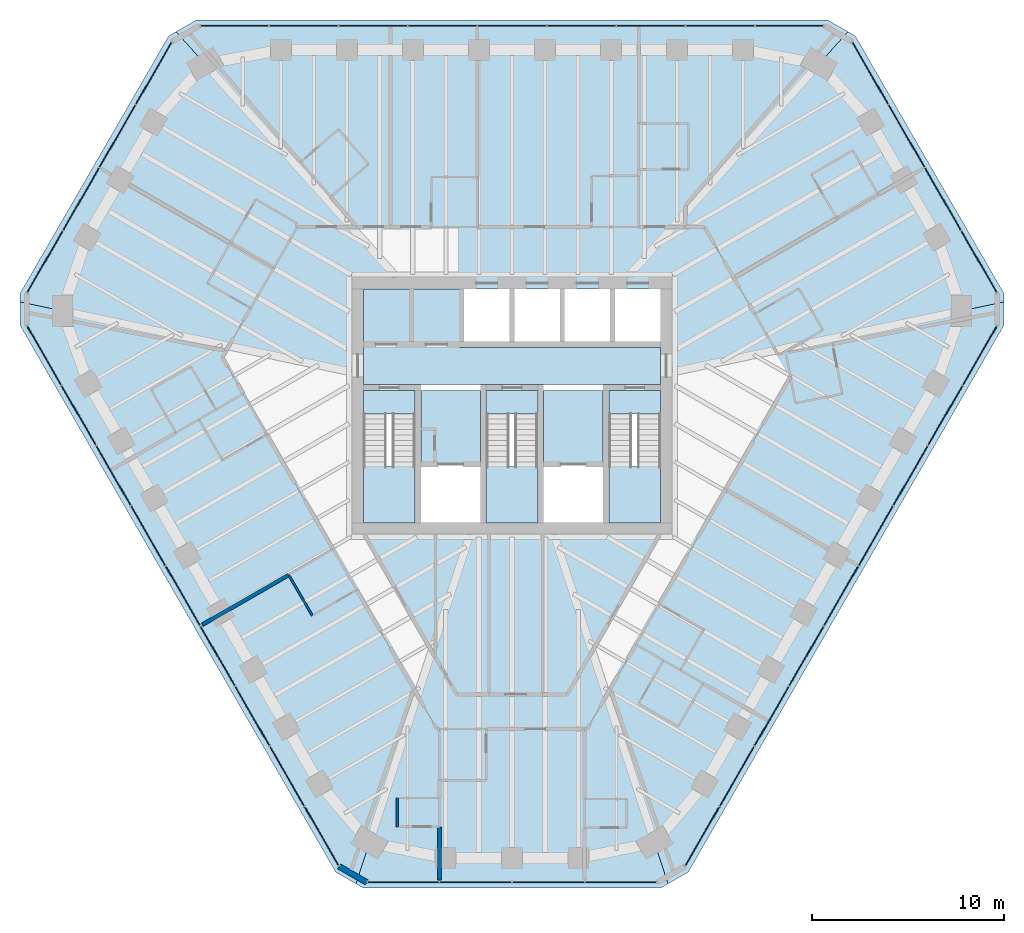
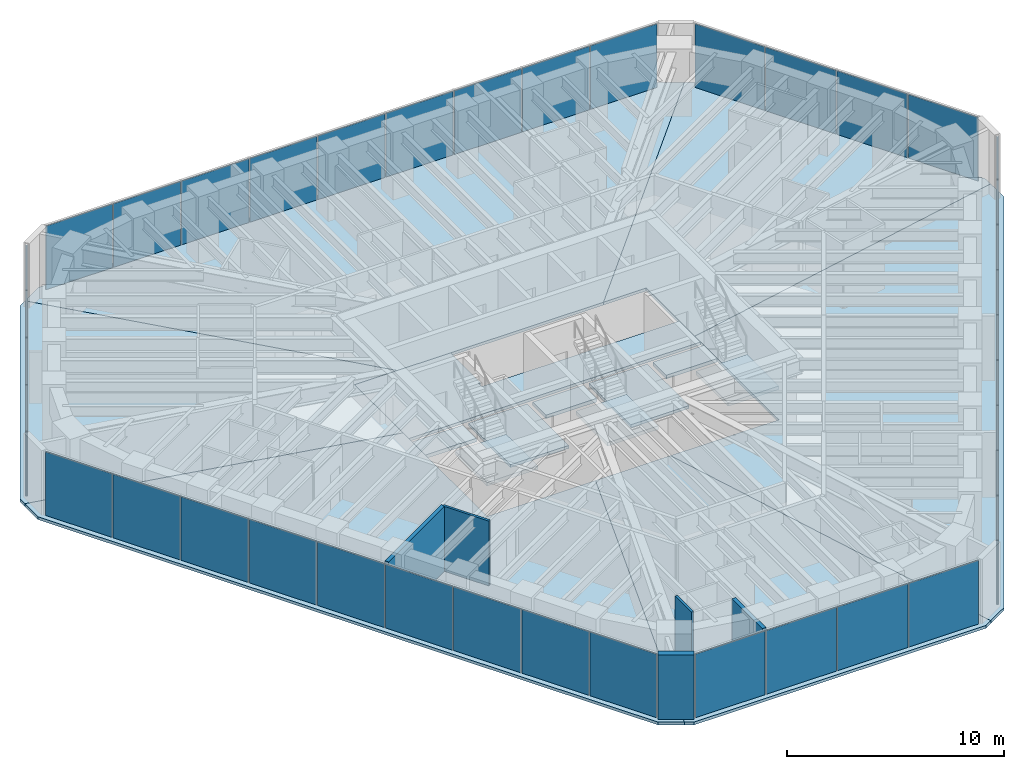
# One storey, part 8 of 14: 39 plates, 15 slabs, 5 walls, 9 elements without a shape of their own.
"""IFC4 building model written with IfcOpenShell, lengths in metres."""

from ifc_helpers import new_model, si_unit, direction, frame, frame_2d, origin, origin_2d, place, context, subcontext, project, spatial, polyline, rectangle, outline, extrude, material, layer, layer_set, type_object, element, aggregate, save


model = new_model("IFC4")

# Units and contexts
model_context = context("Model", 3, precision=1e-05, world=origin(), true_north=direction((0.0, 1.0)))
body_context = subcontext(model_context, "Body", "Model", "MODEL_VIEW")
ifc_project = project(units=[si_unit("LENGTHUNIT", "METRE"), si_unit("AREAUNIT", "SQUARE_METRE"), si_unit("VOLUMEUNIT", "CUBIC_METRE"), si_unit("PLANEANGLEUNIT", "RADIAN"), si_unit("MASSUNIT", "GRAM", prefix="KILO")], contexts=[model_context])

# Site, building, storey
site_placement = place(None, origin())
site = spatial("IfcSite", under=ifc_project, at=site_placement, CompositionType="ELEMENT")
building_placement = place(site_placement, origin())
building = spatial("IfcBuilding", under=site, at=building_placement, Name="Sandreach Pilgrim Tower", CompositionType="ELEMENT")
storey_placement = place(building_placement, frame((0.0, 0.0, 264.60009765625)))
storey = spatial("IfcBuildingStorey", under=building, at=storey_placement, Name="L66", CompositionType="ELEMENT", Elevation=264.60009765625)

# Curtain wall, plates
ifc_material_1 = material(Name="Aluminium framed curtain wall", Category="aluminium")
curtain_wall_type = type_object("IfcCurtainWallType", Name="Suite tower curtain wall", PredefinedType="NOTDEFINED", material=ifc_material_1)
curtain_wall_1_placement = place(storey_placement, origin())
curtain_wall_1 = element("IfcCurtainWall", 1, at=curtain_wall_1_placement, inside=storey, type_object=curtain_wall_type, Name="CW-4 L66 N", PredefinedType="NOTDEFINED")
ifc_material_2 = material(Name="Insulating glass unit 16.76 laminated + 24 argon + 16.76 laminated", Category="glass")
ifc_layer_1 = layer(ifc_material_2, 0.05810546875)
ifc_layer_set_1 = layer_set([ifc_layer_1], Name="CW-4 panel")
plate_type = type_object("IfcPlateType", Name="CW-4 panel", PredefinedType="CURTAIN_PANEL", material=ifc_layer_set_1)
plate_1_placement = place(storey_placement, frame((-14.472412109375, 19.826416015625, 0.0), z_axis=(0.0, 0.0, 1.0), x_axis=(1.0, 0.0, 0.0)))
plate_1 = element("IfcPlate", 2, at=plate_1_placement, type_object=plate_type, Name="CW-4 panel 1", PredefinedType="CURTAIN_PANEL", context=body_context, shape_type="SweptSolid", body=[
    extrude(rectangle(XDim=3.531982421875, YDim=0.05810546875, at=origin_2d()), origin(), (0.0, 0.0, 1.0), 3.570068359375),
])
plate_2_placement = place(storey_placement, frame((-10.865478515625, 19.826416015625, 0.0), z_axis=(0.0, 0.0, 1.0), x_axis=(1.0, 0.0, 0.0)))
plate_2 = element("IfcPlate", 3, at=plate_2_placement, type_object=plate_type, Name="CW-4 panel 2", PredefinedType="CURTAIN_PANEL", context=body_context, shape_type="SweptSolid", body=[
    extrude(rectangle(XDim=3.561767578125, YDim=0.05810546875, at=origin_2d()), origin(), (0.0, 0.0, 1.0), 3.570068359375),
])
plate_3_placement = place(storey_placement, frame((-7.24365234375, 19.826416015625, 0.0), z_axis=(0.0, 0.0, 1.0), x_axis=(1.0, 0.0, 0.0)))
plate_3 = element("IfcPlate", 4, at=plate_3_placement, type_object=plate_type, Name="CW-4 panel 3", PredefinedType="CURTAIN_PANEL", context=body_context, shape_type="SweptSolid", body=[
    extrude(rectangle(XDim=3.561767578125, YDim=0.05810546875, at=origin_2d()), origin(), (0.0, 0.0, 1.0), 3.570068359375),
])
plate_4_placement = place(storey_placement, frame((-3.621826171875, 19.826416015625, 0.0), z_axis=(0.0, 0.0, 1.0), x_axis=(1.0, 0.0, 0.0)))
plate_4 = element("IfcPlate", 5, at=plate_4_placement, type_object=plate_type, Name="CW-4 panel 4", PredefinedType="CURTAIN_PANEL", context=body_context, shape_type="SweptSolid", body=[
    extrude(rectangle(XDim=3.561767578125, YDim=0.05810546875, at=origin_2d()), origin(), (0.0, 0.0, 1.0), 3.570068359375),
])
plate_5_placement = place(storey_placement, frame((0.0, 19.826416015625, 0.0), z_axis=(0.0, 0.0, 1.0), x_axis=(1.0, 0.0, 0.0)))
plate_5 = element("IfcPlate", 6, at=plate_5_placement, type_object=plate_type, Name="CW-4 panel 5", PredefinedType="CURTAIN_PANEL", context=body_context, shape_type="SweptSolid", body=[
    extrude(rectangle(XDim=3.561767578125, YDim=0.05810546875, at=origin_2d()), origin(), (0.0, 0.0, 1.0), 3.570068359375),
])
plate_6_placement = place(storey_placement, frame((3.621826171875, 19.826416015625, 0.0), z_axis=(0.0, 0.0, 1.0), x_axis=(1.0, 0.0, 0.0)))
plate_6 = element("IfcPlate", 7, at=plate_6_placement, type_object=plate_type, Name="CW-4 panel 6", PredefinedType="CURTAIN_PANEL", context=body_context, shape_type="SweptSolid", body=[
    extrude(rectangle(XDim=3.561767578125, YDim=0.05810546875, at=origin_2d()), origin(), (0.0, 0.0, 1.0), 3.570068359375),
])
plate_7_placement = place(storey_placement, frame((7.24365234375, 19.826416015625, 0.0), z_axis=(0.0, 0.0, 1.0), x_axis=(1.0, 0.0, 0.0)))
plate_7 = element("IfcPlate", 8, at=plate_7_placement, type_object=plate_type, Name="CW-4 panel 7", PredefinedType="CURTAIN_PANEL", context=body_context, shape_type="SweptSolid", body=[
    extrude(rectangle(XDim=3.561767578125, YDim=0.05810546875, at=origin_2d()), origin(), (0.0, 0.0, 1.0), 3.570068359375),
])
plate_8_placement = place(storey_placement, frame((10.865478515625, 19.826416015625, 0.0), z_axis=(0.0, 0.0, 1.0), x_axis=(1.0, 0.0, 0.0)))
plate_8 = element("IfcPlate", 9, at=plate_8_placement, type_object=plate_type, Name="CW-4 panel 8", PredefinedType="CURTAIN_PANEL", context=body_context, shape_type="SweptSolid", body=[
    extrude(rectangle(XDim=3.561767578125, YDim=0.05810546875, at=origin_2d()), origin(), (0.0, 0.0, 1.0), 3.570068359375),
])
plate_9_placement = place(storey_placement, frame((14.472412109375, 19.826416015625, 0.0), z_axis=(0.0, 0.0, 1.0), x_axis=(1.0, 0.0, 0.0)))
plate_9 = element("IfcPlate", 10, at=plate_9_placement, type_object=plate_type, Name="CW-4 panel 9", PredefinedType="CURTAIN_PANEL", context=body_context, shape_type="SweptSolid", body=[
    extrude(rectangle(XDim=3.531982421875, YDim=0.05810546875, at=origin_2d()), origin(), (0.0, 0.0, 1.0), 3.570068359375),
])
aggregate(curtain_wall_1, [plate_1, plate_2, plate_3, plate_4, plate_5, plate_6, plate_7, plate_8, plate_9])

curtain_wall_2_placement = place(storey_placement, origin())
curtain_wall_2 = element("IfcCurtainWall", 11, at=curtain_wall_2_placement, inside=storey, type_object=curtain_wall_type, Name="CW-4 L66 NE", PredefinedType="NOTDEFINED")
plate_10_placement = place(storey_placement, frame((18.69140625, 17.341552734375, 0.0), z_axis=(0.0, 0.0, 1.0), x_axis=(0.5, -0.866025403784, 0.0)))
plate_10 = element("IfcPlate", 12, at=plate_10_placement, type_object=plate_type, Name="CW-4 panel 1", PredefinedType="CURTAIN_PANEL", context=body_context, shape_type="SweptSolid", body=[
    extrude(rectangle(XDim=3.70166015625, YDim=0.05810546875, at=origin_2d()), origin(), (0.0, 0.0, 1.0), 3.570068359375),
])
plate_11_placement = place(storey_placement, frame((20.579833984375, 14.07080078125, 0.0), z_axis=(0.0, 0.0, 1.0), x_axis=(0.5, -0.866025403784, 0.0)))
plate_11 = element("IfcPlate", 13, at=plate_11_placement, type_object=plate_type, Name="CW-4 panel 2", PredefinedType="CURTAIN_PANEL", context=body_context, shape_type="SweptSolid", body=[
    extrude(rectangle(XDim=3.731689453125, YDim=0.05810546875, at=origin_2d()), origin(), (0.0, 0.0, 1.0), 3.570068359375),
])
plate_12_placement = place(storey_placement, frame((22.4755859375, 10.787109375, 0.0), z_axis=(0.0, 0.0, 1.0), x_axis=(0.5, -0.866025403784, 0.0)))
plate_12 = element("IfcPlate", 14, at=plate_12_placement, type_object=plate_type, Name="CW-4 panel 3", PredefinedType="CURTAIN_PANEL", context=body_context, shape_type="SweptSolid", body=[
    extrude(rectangle(XDim=3.731689453125, YDim=0.05810546875, at=origin_2d()), origin(), (0.0, 0.0, 1.0), 3.570068359375),
])
plate_13_placement = place(storey_placement, frame((24.364013671875, 7.516357421875, 0.0), z_axis=(0.0, 0.0, 1.0), x_axis=(0.5, -0.866025403784, 0.0)))
plate_13 = element("IfcPlate", 15, at=plate_13_placement, type_object=plate_type, Name="CW-4 panel 4", PredefinedType="CURTAIN_PANEL", context=body_context, shape_type="SweptSolid", body=[
    extrude(rectangle(XDim=3.70166015625, YDim=0.05810546875, at=origin_2d()), origin(), (0.0, 0.0, 1.0), 3.570068359375),
])
aggregate(curtain_wall_2, [plate_10, plate_11, plate_12, plate_13])

curtain_wall_3_placement = place(storey_placement, origin())
curtain_wall_3 = element("IfcCurtainWall", 16, at=curtain_wall_3_placement, inside=storey, type_object=curtain_wall_type, Name="CW-4 L66 SE", PredefinedType="NOTDEFINED")
plate_14_placement = place(storey_placement, frame((24.406494140625, 2.620361328125, 0.0), z_axis=(0.0, 0.0, 1.0), x_axis=(-0.5, -0.866025403784, 0.0)))
plate_14 = element("IfcPlate", 17, at=plate_14_placement, type_object=plate_type, Name="CW-4 panel 1", PredefinedType="CURTAIN_PANEL", context=body_context, shape_type="SweptSolid", body=[
    extrude(rectangle(XDim=3.531982421875, YDim=0.05810546875, at=origin_2d()), origin(), (0.0, 0.0, 1.0), 3.570068359375),
])
plate_15_placement = place(storey_placement, frame((22.60302734375, -0.50341796875, 0.0), z_axis=(0.0, 0.0, 1.0), x_axis=(-0.5, -0.866025403784, 0.0)))
plate_15 = element("IfcPlate", 18, at=plate_15_placement, type_object=plate_type, Name="CW-4 panel 2", PredefinedType="CURTAIN_PANEL", context=body_context, shape_type="SweptSolid", body=[
    extrude(rectangle(XDim=3.561767578125, YDim=0.05810546875, at=origin_2d()), origin(), (0.0, 0.0, 1.0), 3.570068359375),
])
plate_16_placement = place(storey_placement, frame((20.7919921875, -3.639892578125, 0.0), z_axis=(0.0, 0.0, 1.0), x_axis=(-0.5, -0.866025403784, 0.0)))
plate_16 = element("IfcPlate", 19, at=plate_16_placement, type_object=plate_type, Name="CW-4 panel 3", PredefinedType="CURTAIN_PANEL", context=body_context, shape_type="SweptSolid", body=[
    extrude(rectangle(XDim=3.561767578125, YDim=0.05810546875, at=origin_2d()), origin(), (0.0, 0.0, 1.0), 3.570068359375),
])
plate_17_placement = place(storey_placement, frame((18.981201171875, -6.776611328125, 0.0), z_axis=(0.0, 0.0, 1.0), x_axis=(-0.5, -0.866025403784, 0.0)))
plate_17 = element("IfcPlate", 20, at=plate_17_placement, type_object=plate_type, Name="CW-4 panel 4", PredefinedType="CURTAIN_PANEL", context=body_context, shape_type="SweptSolid", body=[
    extrude(rectangle(XDim=3.561767578125, YDim=0.05810546875, at=origin_2d()), origin(), (0.0, 0.0, 1.0), 3.570068359375),
])
plate_18_placement = place(storey_placement, frame((17.170166015625, -9.913330078125, 0.0), z_axis=(0.0, 0.0, 1.0), x_axis=(-0.5, -0.866025403784, 0.0)))
plate_18 = element("IfcPlate", 21, at=plate_18_placement, type_object=plate_type, Name="CW-4 panel 5", PredefinedType="CURTAIN_PANEL", context=body_context, shape_type="SweptSolid", body=[
    extrude(rectangle(XDim=3.561767578125, YDim=0.05810546875, at=origin_2d()), origin(), (0.0, 0.0, 1.0), 3.570068359375),
])
plate_19_placement = place(storey_placement, frame((15.359375, -13.0498046875, 0.0), z_axis=(0.0, 0.0, 1.0), x_axis=(-0.5, -0.866025403784, 0.0)))
plate_19 = element("IfcPlate", 22, at=plate_19_placement, type_object=plate_type, Name="CW-4 panel 6", PredefinedType="CURTAIN_PANEL", context=body_context, shape_type="SweptSolid", body=[
    extrude(rectangle(XDim=3.561767578125, YDim=0.05810546875, at=origin_2d()), origin(), (0.0, 0.0, 1.0), 3.570068359375),
])
plate_20_placement = place(storey_placement, frame((13.54833984375, -16.1865234375, 0.0), z_axis=(0.0, 0.0, 1.0), x_axis=(-0.5, -0.866025403784, 0.0)))
plate_20 = element("IfcPlate", 23, at=plate_20_placement, type_object=plate_type, Name="CW-4 panel 7", PredefinedType="CURTAIN_PANEL", context=body_context, shape_type="SweptSolid", body=[
    extrude(rectangle(XDim=3.561767578125, YDim=0.05810546875, at=origin_2d()), origin(), (0.0, 0.0, 1.0), 3.570068359375),
])
plate_21_placement = place(storey_placement, frame((11.7373046875, -19.322998046875, 0.0), z_axis=(0.0, 0.0, 1.0), x_axis=(-0.5, -0.866025403784, 0.0)))
plate_21 = element("IfcPlate", 24, at=plate_21_placement, type_object=plate_type, Name="CW-4 panel 8", PredefinedType="CURTAIN_PANEL", context=body_context, shape_type="SweptSolid", body=[
    extrude(rectangle(XDim=3.561767578125, YDim=0.05810546875, at=origin_2d()), origin(), (0.0, 0.0, 1.0), 3.570068359375),
])
plate_22_placement = place(storey_placement, frame((9.93408203125, -22.44677734375, 0.0), z_axis=(0.0, 0.0, 1.0), x_axis=(-0.5, -0.866025403784, 0.0)))
plate_22 = element("IfcPlate", 25, at=plate_22_placement, type_object=plate_type, Name="CW-4 panel 9", PredefinedType="CURTAIN_PANEL", context=body_context, shape_type="SweptSolid", body=[
    extrude(rectangle(XDim=3.531982421875, YDim=0.05810546875, at=origin_2d()), origin(), (0.0, 0.0, 1.0), 3.570068359375),
])
aggregate(curtain_wall_3, [plate_14, plate_15, plate_16, plate_17, plate_18, plate_19, plate_20, plate_21, plate_22])

curtain_wall_4_placement = place(storey_placement, origin())
curtain_wall_4 = element("IfcCurtainWall", 26, at=curtain_wall_4_placement, inside=storey, type_object=curtain_wall_type, Name="CW-4 L66 S", PredefinedType="NOTDEFINED")
plate_23_placement = place(storey_placement, frame((5.672607421875, -24.858154296875, 0.0), z_axis=(0.0, 0.0, 1.0), x_axis=(-1.0, 0.0, 0.0)))
plate_23 = element("IfcPlate", 27, at=plate_23_placement, type_object=plate_type, Name="CW-4 panel 1", PredefinedType="CURTAIN_PANEL", context=body_context, shape_type="SweptSolid", body=[
    extrude(rectangle(XDim=3.70166015625, YDim=0.05810546875, at=origin_2d()), origin(), (0.0, 0.0, 1.0), 3.570068359375),
])
plate_24_placement = place(storey_placement, frame((1.895751953125, -24.858154296875, 0.0), z_axis=(0.0, 0.0, 1.0), x_axis=(-1.0, 0.0, 0.0)))
plate_24 = element("IfcPlate", 28, at=plate_24_placement, type_object=plate_type, Name="CW-4 panel 2", PredefinedType="CURTAIN_PANEL", context=body_context, shape_type="SweptSolid", body=[
    extrude(rectangle(XDim=3.731689453125, YDim=0.05810546875, at=origin_2d()), origin(), (0.0, 0.0, 1.0), 3.570068359375),
])
plate_25_placement = place(storey_placement, frame((-1.895751953125, -24.858154296875, 0.0), z_axis=(0.0, 0.0, 1.0), x_axis=(-1.0, 0.0, 0.0)))
plate_25 = element("IfcPlate", 29, at=plate_25_placement, type_object=plate_type, Name="CW-4 panel 3", PredefinedType="CURTAIN_PANEL", context=body_context, shape_type="SweptSolid", body=[
    extrude(rectangle(XDim=3.731689453125, YDim=0.05810546875, at=origin_2d()), origin(), (0.0, 0.0, 1.0), 3.570068359375),
])
plate_26_placement = place(storey_placement, frame((-5.672607421875, -24.858154296875, 0.0), z_axis=(0.0, 0.0, 1.0), x_axis=(-1.0, 0.0, 0.0)))
plate_26 = element("IfcPlate", 30, at=plate_26_placement, type_object=plate_type, Name="CW-4 panel 4", PredefinedType="CURTAIN_PANEL", context=body_context, shape_type="SweptSolid", body=[
    extrude(rectangle(XDim=3.70166015625, YDim=0.05810546875, at=origin_2d()), origin(), (0.0, 0.0, 1.0), 3.570068359375),
])
aggregate(curtain_wall_4, [plate_23, plate_24, plate_25, plate_26])

curtain_wall_5_placement = place(storey_placement, origin())
curtain_wall_5 = element("IfcCurtainWall", 31, at=curtain_wall_5_placement, inside=storey, type_object=curtain_wall_type, Name="CW-4 L66 SW", PredefinedType="NOTDEFINED")
plate_27_placement = place(storey_placement, frame((-9.93408203125, -22.44677734375, 0.0), z_axis=(0.0, 0.0, 1.0), x_axis=(-0.5, 0.866025403784, 0.0)))
plate_27 = element("IfcPlate", 32, at=plate_27_placement, type_object=plate_type, Name="CW-4 panel 1", PredefinedType="CURTAIN_PANEL", context=body_context, shape_type="SweptSolid", body=[
    extrude(rectangle(XDim=3.531982421875, YDim=0.05810546875, at=origin_2d()), origin(), (0.0, 0.0, 1.0), 3.570068359375),
])
plate_28_placement = place(storey_placement, frame((-11.7373046875, -19.322998046875, 0.0), z_axis=(0.0, 0.0, 1.0), x_axis=(-0.5, 0.866025403784, 0.0)))
plate_28 = element("IfcPlate", 33, at=plate_28_placement, type_object=plate_type, Name="CW-4 panel 2", PredefinedType="CURTAIN_PANEL", context=body_context, shape_type="SweptSolid", body=[
    extrude(rectangle(XDim=3.561767578125, YDim=0.05810546875, at=origin_2d()), origin(), (0.0, 0.0, 1.0), 3.570068359375),
])
plate_29_placement = place(storey_placement, frame((-13.54833984375, -16.1865234375, 0.0), z_axis=(0.0, 0.0, 1.0), x_axis=(-0.5, 0.866025403784, 0.0)))
plate_29 = element("IfcPlate", 34, at=plate_29_placement, type_object=plate_type, Name="CW-4 panel 3", PredefinedType="CURTAIN_PANEL", context=body_context, shape_type="SweptSolid", body=[
    extrude(rectangle(XDim=3.561767578125, YDim=0.05810546875, at=origin_2d()), origin(), (0.0, 0.0, 1.0), 3.570068359375),
])
plate_30_placement = place(storey_placement, frame((-15.359375, -13.0498046875, 0.0), z_axis=(0.0, 0.0, 1.0), x_axis=(-0.5, 0.866025403784, 0.0)))
plate_30 = element("IfcPlate", 35, at=plate_30_placement, type_object=plate_type, Name="CW-4 panel 4", PredefinedType="CURTAIN_PANEL", context=body_context, shape_type="SweptSolid", body=[
    extrude(rectangle(XDim=3.561767578125, YDim=0.05810546875, at=origin_2d()), origin(), (0.0, 0.0, 1.0), 3.570068359375),
])
plate_31_placement = place(storey_placement, frame((-17.170166015625, -9.913330078125, 0.0), z_axis=(0.0, 0.0, 1.0), x_axis=(-0.5, 0.866025403784, 0.0)))
plate_31 = element("IfcPlate", 36, at=plate_31_placement, type_object=plate_type, Name="CW-4 panel 5", PredefinedType="CURTAIN_PANEL", context=body_context, shape_type="SweptSolid", body=[
    extrude(rectangle(XDim=3.561767578125, YDim=0.05810546875, at=origin_2d()), origin(), (0.0, 0.0, 1.0), 3.570068359375),
])
plate_32_placement = place(storey_placement, frame((-18.981201171875, -6.776611328125, 0.0), z_axis=(0.0, 0.0, 1.0), x_axis=(-0.5, 0.866025403784, 0.0)))
plate_32 = element("IfcPlate", 37, at=plate_32_placement, type_object=plate_type, Name="CW-4 panel 6", PredefinedType="CURTAIN_PANEL", context=body_context, shape_type="SweptSolid", body=[
    extrude(rectangle(XDim=3.561767578125, YDim=0.05810546875, at=origin_2d()), origin(), (0.0, 0.0, 1.0), 3.570068359375),
])
plate_33_placement = place(storey_placement, frame((-20.7919921875, -3.639892578125, 0.0), z_axis=(0.0, 0.0, 1.0), x_axis=(-0.5, 0.866025403784, 0.0)))
plate_33 = element("IfcPlate", 38, at=plate_33_placement, type_object=plate_type, Name="CW-4 panel 7", PredefinedType="CURTAIN_PANEL", context=body_context, shape_type="SweptSolid", body=[
    extrude(rectangle(XDim=3.561767578125, YDim=0.05810546875, at=origin_2d()), origin(), (0.0, 0.0, 1.0), 3.570068359375),
])
plate_34_placement = place(storey_placement, frame((-22.60302734375, -0.50341796875, 0.0), z_axis=(0.0, 0.0, 1.0), x_axis=(-0.5, 0.866025403784, 0.0)))
plate_34 = element("IfcPlate", 39, at=plate_34_placement, type_object=plate_type, Name="CW-4 panel 8", PredefinedType="CURTAIN_PANEL", context=body_context, shape_type="SweptSolid", body=[
    extrude(rectangle(XDim=3.561767578125, YDim=0.05810546875, at=origin_2d()), origin(), (0.0, 0.0, 1.0), 3.570068359375),
])
plate_35_placement = place(storey_placement, frame((-24.406494140625, 2.620361328125, 0.0), z_axis=(0.0, 0.0, 1.0), x_axis=(-0.5, 0.866025403784, 0.0)))
plate_35 = element("IfcPlate", 40, at=plate_35_placement, type_object=plate_type, Name="CW-4 panel 9", PredefinedType="CURTAIN_PANEL", context=body_context, shape_type="SweptSolid", body=[
    extrude(rectangle(XDim=3.531982421875, YDim=0.05810546875, at=origin_2d()), origin(), (0.0, 0.0, 1.0), 3.570068359375),
])
aggregate(curtain_wall_5, [plate_27, plate_28, plate_29, plate_30, plate_31, plate_32, plate_33, plate_34, plate_35])

curtain_wall_6_placement = place(storey_placement, origin())
curtain_wall_6 = element("IfcCurtainWall", 41, at=curtain_wall_6_placement, inside=storey, type_object=curtain_wall_type, Name="CW-4 L66 NW", PredefinedType="NOTDEFINED")
plate_36_placement = place(storey_placement, frame((-24.364013671875, 7.516357421875, 0.0), z_axis=(0.0, 0.0, 1.0), x_axis=(0.5, 0.866025403784, 0.0)))
plate_36 = element("IfcPlate", 42, at=plate_36_placement, type_object=plate_type, Name="CW-4 panel 1", PredefinedType="CURTAIN_PANEL", context=body_context, shape_type="SweptSolid", body=[
    extrude(rectangle(XDim=3.70166015625, YDim=0.05810546875, at=origin_2d()), origin(), (0.0, 0.0, 1.0), 3.570068359375),
])
plate_37_placement = place(storey_placement, frame((-22.4755859375, 10.787109375, 0.0), z_axis=(0.0, 0.0, 1.0), x_axis=(0.5, 0.866025403784, 0.0)))
plate_37 = element("IfcPlate", 43, at=plate_37_placement, type_object=plate_type, Name="CW-4 panel 2", PredefinedType="CURTAIN_PANEL", context=body_context, shape_type="SweptSolid", body=[
    extrude(rectangle(XDim=3.731689453125, YDim=0.05810546875, at=origin_2d()), origin(), (0.0, 0.0, 1.0), 3.570068359375),
])
plate_38_placement = place(storey_placement, frame((-20.579833984375, 14.07080078125, 0.0), z_axis=(0.0, 0.0, 1.0), x_axis=(0.5, 0.866025403784, 0.0)))
plate_38 = element("IfcPlate", 44, at=plate_38_placement, type_object=plate_type, Name="CW-4 panel 3", PredefinedType="CURTAIN_PANEL", context=body_context, shape_type="SweptSolid", body=[
    extrude(rectangle(XDim=3.731689453125, YDim=0.05810546875, at=origin_2d()), origin(), (0.0, 0.0, 1.0), 3.570068359375),
])
plate_39_placement = place(storey_placement, frame((-18.69140625, 17.341552734375, 0.0), z_axis=(0.0, 0.0, 1.0), x_axis=(0.5, 0.866025403784, 0.0)))
plate_39 = element("IfcPlate", 45, at=plate_39_placement, type_object=plate_type, Name="CW-4 panel 4", PredefinedType="CURTAIN_PANEL", context=body_context, shape_type="SweptSolid", body=[
    extrude(rectangle(XDim=3.70166015625, YDim=0.05810546875, at=origin_2d()), origin(), (0.0, 0.0, 1.0), 3.570068359375),
])
aggregate(curtain_wall_6, [plate_36, plate_37, plate_38, plate_39])

# Slabs
ifc_material_3 = material(Name="Concrete 8000 psi", Category="concrete")
ifc_layer_2 = layer(ifc_material_3, 0.159912109375)
ifc_layer_set_2 = layer_set([ifc_layer_2], Name="Composite floor slab 160")
slab_type_1 = type_object("IfcSlabType", Name="Composite floor slab 160", PredefinedType="FLOOR", material=ifc_layer_set_2)
slab_1_placement = place(storey_placement, frame((0.0, 0.0, -0.16015625)))
element("IfcSlab", 46, at=slab_1_placement, inside=storey, type_object=slab_type_1, Name="Floor slab L66 N sector", PredefinedType="FLOOR", context=body_context, shape_type="SweptSolid", body=[
    extrude(outline(polyline([(-16.4716796875, 20.12646484375), (16.4716796875, 20.12646484375), (17.52587890625, 19.517822265625), (5.477294921875, 6.10009765625), (-5.477294921875, 6.10009765625), (-17.52587890625, 19.517822265625), (-16.4716796875, 20.12646484375)])), origin(), (0.0, 0.0, 1.0), 0.16015625),
])
slab_2_placement = place(storey_placement, frame((0.0, 0.0, -0.16015625)))
element("IfcSlab", 47, at=slab_2_placement, inside=storey, type_object=slab_type_1, Name="Floor slab L66 NE sector", PredefinedType="FLOOR", context=body_context, shape_type="SweptSolid", body=[
    extrude(outline(polyline([(17.9091796875, 19.29638671875), (25.665771484375, 5.861572265625), (25.665771484375, 5.4189453125), (7.75, 1.63623046875), (7.75, 6.10009765625), (5.477294921875, 6.10009765625), (17.52587890625, 19.517822265625), (17.9091796875, 19.29638671875)])), origin(), (0.0, 0.0, 1.0), 0.16015625),
])
slab_3_placement = place(storey_placement, frame((0.0, 0.0, -0.16015625)))
element("IfcSlab", 48, at=slab_3_placement, inside=storey, type_object=slab_type_1, Name="Floor slab L66 SE sector", PredefinedType="FLOOR", context=body_context, shape_type="SweptSolid", body=[
    extrude(outline(polyline([(25.665771484375, 4.20166015625), (9.194091796875, -24.327880859375), (8.139892578125, -24.936767578125), (1.9912109375, -6.10009765625), (7.75, -6.10009765625), (7.75, 1.63623046875), (25.665771484375, 5.4189453125), (25.665771484375, 4.20166015625)])), origin(), (0.0, 0.0, 1.0), 0.16015625),
])
slab_4_placement = place(storey_placement, frame((0.0, 0.0, -0.16015625)))
element("IfcSlab", 49, at=slab_4_placement, inside=storey, type_object=slab_type_1, Name="Floor slab L66 S sector", PredefinedType="FLOOR", context=body_context, shape_type="SweptSolid", body=[
    extrude(outline(polyline([(7.756591796875, -25.157958984375), (-7.756591796875, -25.157958984375), (-8.139892578125, -24.936767578125), (-1.9912109375, -6.10009765625), (1.9912109375, -6.10009765625), (8.139892578125, -24.936767578125), (7.756591796875, -25.157958984375)])), origin(), (0.0, 0.0, 1.0), 0.16015625),
])
slab_5_placement = place(storey_placement, frame((0.0, 0.0, -0.16015625)))
element("IfcSlab", 50, at=slab_5_placement, inside=storey, type_object=slab_type_1, Name="Floor slab L66 SW sector", PredefinedType="FLOOR", context=body_context, shape_type="SweptSolid", body=[
    extrude(outline(polyline([(-9.194091796875, -24.327880859375), (-25.665771484375, 4.20166015625), (-25.665771484375, 5.4189453125), (-7.75, 1.63623046875), (-7.75, -6.10009765625), (-1.9912109375, -6.10009765625), (-8.139892578125, -24.936767578125), (-9.194091796875, -24.327880859375)])), origin(), (0.0, 0.0, 1.0), 0.16015625),
])
slab_6_placement = place(storey_placement, frame((0.0, 0.0, -0.16015625)))
element("IfcSlab", 51, at=slab_6_placement, inside=storey, type_object=slab_type_1, Name="Floor slab L66 NW sector", PredefinedType="FLOOR", context=body_context, shape_type="SweptSolid", body=[
    extrude(outline(polyline([(-25.665771484375, 5.861572265625), (-17.9091796875, 19.29638671875), (-17.52587890625, 19.517822265625), (-5.477294921875, 6.10009765625), (-7.75, 6.10009765625), (-7.75, 1.63623046875), (-25.665771484375, 5.4189453125), (-25.665771484375, 5.861572265625)])), origin(), (0.0, 0.0, 1.0), 0.16015625),
])
slab_7_placement = place(storey_placement, frame((0.0, 0.0, -0.16015625)))
element("IfcSlab", 52, at=slab_7_placement, inside=storey, type_object=slab_type_1, Name="Core floor slab and stores L66", PredefinedType="FLOOR", context=body_context, shape_type="SweptSolid", body=[
    extrude(outline(polyline([(-2.75, 3.35009765625), (-2.75, 3.050048828125), (-0.125, 3.050048828125), (0.125, 3.050048828125), (2.5, 3.050048828125), (2.75, 3.050048828125), (5.125, 3.050048828125), (5.375, 3.050048828125), (7.75, 3.050048828125), (7.75, 1.10009765625), (5.050048828125, 1.10009765625), (4.75, 1.10009765625), (1.64990234375, 1.10009765625), (1.35009765625, 1.10009765625), (-1.35009765625, 1.10009765625), (-1.64990234375, 1.10009765625), (-4.75, 1.10009765625), (-5.050048828125, 1.10009765625), (-7.75, 1.10009765625), (-7.75, 6.10009765625), (-2.64990234375, 6.10009765625), (-2.64990234375, 3.35009765625), (-2.75, 3.35009765625)])), origin(), (0.0, 0.0, 1.0), 0.16015625),
])
slab_8_placement = place(storey_placement, frame((0.0, 0.0, -0.16015625)))
element("IfcSlab", 53, at=slab_8_placement, inside=storey, type_object=slab_type_1, Name="Core floor slab and stores L66 2", PredefinedType="FLOOR", context=body_context, shape_type="SweptSolid", body=[
    extrude(outline(polyline([(-1.64990234375, -3.050048828125), (-4.75, -3.050048828125), (-4.75, 0.800048828125), (-1.64990234375, 0.800048828125), (-1.64990234375, -3.050048828125)])), origin(), (0.0, 0.0, 1.0), 0.16015625),
])
slab_9_placement = place(storey_placement, frame((0.0, 0.0, -0.16015625)))
element("IfcSlab", 54, at=slab_9_placement, inside=storey, type_object=slab_type_1, Name="Core floor slab and stores L66 3", PredefinedType="FLOOR", context=body_context, shape_type="SweptSolid", body=[
    extrude(outline(polyline([(4.75, -3.050048828125), (1.64990234375, -3.050048828125), (1.64990234375, 0.800048828125), (4.75, 0.800048828125), (4.75, -3.050048828125)])), origin(), (0.0, 0.0, 1.0), 0.16015625),
])

# Stair, slabs
ifc_material_4 = material(Name="Concrete 8000 psi", Category="concrete")
stair_type = type_object("IfcStairType", Name="Core exit stair", PredefinedType="HALF_TURN_STAIR", material=ifc_material_4)
stair_1_placement = place(storey_placement, origin())
stair_1 = element("IfcStair", 55, at=stair_1_placement, inside=storey, type_object=stair_type, Name="Exit stair ST1 L66", PredefinedType="HALF_TURN_STAIR")
ifc_material_5 = material(Name="Concrete 8000 psi", Category="concrete")
ifc_layer_3 = layer(ifc_material_5, 0.199951171875)
ifc_layer_set_3 = layer_set([ifc_layer_3], Name="Core stair landing 200")
slab_type_2 = type_object("IfcSlabType", Name="Core stair landing 200", PredefinedType="LANDING", material=ifc_layer_set_3)
slab_10_placement = place(storey_placement, frame((0.0, 0.0, -0.2001953125)))
slab_10 = element("IfcSlab", 56, at=slab_10_placement, type_object=slab_type_2, Name="ST1 landing 1", PredefinedType="LANDING", context=body_context, shape_type="SweptSolid", body=[
    extrude(outline(polyline([(-7.75, -0.425048828125), (-5.050048828125, -0.425048828125), (-5.050048828125, 0.800048828125), (-7.75, 0.800048828125), (-7.75, -0.425048828125)])), origin(), (0.0, 0.0, 1.0), 0.2001953125),
])
slab_11_placement = place(storey_placement, frame((0.0, 0.0, 1.699951171875)))
slab_11 = element("IfcSlab", 57, at=slab_11_placement, type_object=slab_type_2, Name="ST1 landing 2", PredefinedType="LANDING", context=body_context, shape_type="SweptSolid", body=[
    extrude(outline(polyline([(-7.75, -6.10009765625), (-5.050048828125, -6.10009765625), (-5.050048828125, -3.175048828125), (-7.75, -3.175048828125), (-7.75, -6.10009765625)])), origin(), (0.0, 0.0, 1.0), 0.199951171875),
])
aggregate(stair_1, [slab_10, slab_11])

stair_2_placement = place(storey_placement, origin())
stair_2 = element("IfcStair", 58, at=stair_2_placement, inside=storey, type_object=stair_type, Name="Exit stair ST3 L66", PredefinedType="HALF_TURN_STAIR")
slab_12_placement = place(storey_placement, frame((0.0, 0.0, -0.2001953125)))
slab_12 = element("IfcSlab", 59, at=slab_12_placement, type_object=slab_type_2, Name="ST3 landing 1", PredefinedType="LANDING", context=body_context, shape_type="SweptSolid", body=[
    extrude(outline(polyline([(-1.35009765625, -0.425048828125), (1.35009765625, -0.425048828125), (1.35009765625, 0.800048828125), (-1.35009765625, 0.800048828125), (-1.35009765625, -0.425048828125)])), origin(), (0.0, 0.0, 1.0), 0.2001953125),
])
slab_13_placement = place(storey_placement, frame((0.0, 0.0, 1.699951171875)))
slab_13 = element("IfcSlab", 60, at=slab_13_placement, type_object=slab_type_2, Name="ST3 landing 2", PredefinedType="LANDING", context=body_context, shape_type="SweptSolid", body=[
    extrude(outline(polyline([(-1.35009765625, -6.10009765625), (1.35009765625, -6.10009765625), (1.35009765625, -3.175048828125), (-1.35009765625, -3.175048828125), (-1.35009765625, -6.10009765625)])), origin(), (0.0, 0.0, 1.0), 0.199951171875),
])
aggregate(stair_2, [slab_12, slab_13])

stair_3_placement = place(storey_placement, origin())
stair_3 = element("IfcStair", 61, at=stair_3_placement, inside=storey, type_object=stair_type, Name="Exit stair ST2 L66", PredefinedType="HALF_TURN_STAIR")
slab_14_placement = place(storey_placement, frame((0.0, 0.0, -0.2001953125)))
slab_14 = element("IfcSlab", 62, at=slab_14_placement, type_object=slab_type_2, Name="ST2 landing 1", PredefinedType="LANDING", context=body_context, shape_type="SweptSolid", body=[
    extrude(outline(polyline([(5.050048828125, -0.425048828125), (7.75, -0.425048828125), (7.75, 0.800048828125), (5.050048828125, 0.800048828125), (5.050048828125, -0.425048828125)])), origin(), (0.0, 0.0, 1.0), 0.2001953125),
])
slab_15_placement = place(storey_placement, frame((0.0, 0.0, 1.699951171875)))
slab_15 = element("IfcSlab", 63, at=slab_15_placement, type_object=slab_type_2, Name="ST2 landing 2", PredefinedType="LANDING", context=body_context, shape_type="SweptSolid", body=[
    extrude(outline(polyline([(5.050048828125, -6.10009765625), (7.75, -6.10009765625), (7.75, -3.175048828125), (5.050048828125, -3.175048828125), (5.050048828125, -6.10009765625)])), origin(), (0.0, 0.0, 1.0), 0.199951171875),
])
aggregate(stair_3, [slab_14, slab_15])

# Walls
ifc_material_6 = material(Name="Moisture-resistant gypsum board on steel studs", Category="steel")
ifc_layer_4 = layer(ifc_material_6, 0.1201171875)
ifc_layer_set_4 = layer_set([ifc_layer_4], Name="Bathroom partition 120")
wall_type_1 = type_object("IfcWallType", Name="Bathroom partition 120", PredefinedType="PARTITIONING", material=ifc_layer_set_4)
wall_1_placement = place(storey_placement, frame((-11.64990234375, -8.820068359375, 0.0), z_axis=(0.0, 0.0, 1.0), x_axis=(0.501856726365, -0.86495076519, 0.0)))
element("IfcWall", 64, at=wall_1_placement, inside=storey, type_object=wall_type_1, Name="Bathroom partition L66-025", PredefinedType="PARTITIONING", context=body_context, shape_type="SweptSolid", body=[
    extrude(rectangle(XDim=2.450927734375, YDim=0.1201171875, at=frame_2d((1.2255859375, 0.0))), origin(), (0.0, 0.0, 1.0), 3.639892578125),
])
wall_2_placement = place(storey_placement, frame((-5.989990234375, -20.4599609375, 0.0), z_axis=(0.0, 0.0, 1.0), x_axis=(0.0, -1.0, 0.0)))
element("IfcWall", 65, at=wall_2_placement, inside=storey, type_object=wall_type_1, Name="Bathroom partition L66-043", PredefinedType="PARTITIONING", context=body_context, shape_type="SweptSolid", body=[
    extrude(rectangle(XDim=1.5, YDim=0.1201171875, at=frame_2d((0.75, 0.0))), origin(), (0.0, 0.0, 1.0), 3.639892578125),
])
ifc_material_7 = material(Name="Double steel stud acoustic wall, gypsum board", Category="steel")
ifc_layer_5 = layer(ifc_material_7, 0.199951171875)
ifc_layer_set_5 = layer_set([ifc_layer_5], Name="Party wall 200")
wall_type_2 = type_object("IfcWallType", Name="Party wall 200", PredefinedType="PARTITIONING", material=ifc_layer_set_5)
wall_3_placement = place(storey_placement, frame((-16.156005859375, -11.419921875, 0.0), z_axis=(0.0, 0.0, 1.0), x_axis=(0.866170741273, 0.499748183552, 0.0)))
element("IfcWall", 66, at=wall_3_placement, inside=storey, type_object=wall_type_2, Name="Party wall L66-010", PredefinedType="PARTITIONING", context=body_context, shape_type="SweptSolid", body=[
    extrude(rectangle(XDim=5.202392578125, YDim=0.199951171875, at=frame_2d((2.60107421875, 0.0))), origin(), (0.0, 0.0, 1.0), 3.639892578125),
])
wall_4_placement = place(storey_placement, frame((-3.7900390625, -24.739990234375, 0.0), z_axis=(0.0, 0.0, 1.0), x_axis=(0.0, 1.0, 0.0)))
element("IfcWall", 67, at=wall_4_placement, inside=storey, type_object=wall_type_2, Name="Party wall L66-051", PredefinedType="PARTITIONING", context=body_context, shape_type="SweptSolid", body=[
    extrude(rectangle(XDim=2.780029296875, YDim=0.199951171875, at=frame_2d((1.39013671875, 0.0))), origin(), (0.0, 0.0, 1.0), 3.639892578125),
])
ifc_material_8 = material(Name="Terracotta rainscreen on concrete", Category="masonry")
ifc_layer_6 = layer(ifc_material_8, 0.300048828125)
ifc_layer_set_6 = layer_set([ifc_layer_6], Name="Terracotta chamfer pier")
wall_type_3 = type_object("IfcWallType", Name="Terracotta chamfer pier", PredefinedType="SOLIDWALL", material=ifc_layer_set_6)
wall_5_placement = place(storey_placement, frame((-7.58349609375, -24.858154296875, 0.0), z_axis=(0.0, 0.0, 1.0), x_axis=(-0.865989634427, 0.500061949227, 0.0)))
element("IfcWall", 68, at=wall_5_placement, inside=storey, type_object=wall_type_3, Name="Chamfer pier L66 S", PredefinedType="SOLIDWALL", context=body_context, shape_type="SweptSolid", body=[
    extrude(rectangle(XDim=1.659912109375, YDim=0.300048828125, at=frame_2d((0.830078125, 0.0))), origin(), (0.0, 0.0, 1.0), 3.639892578125),
])

save(model, "model.ifc")
